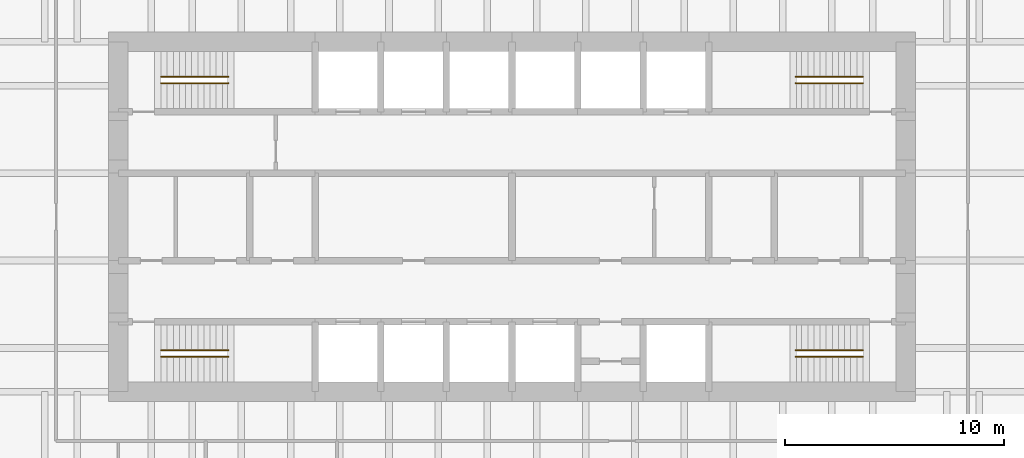
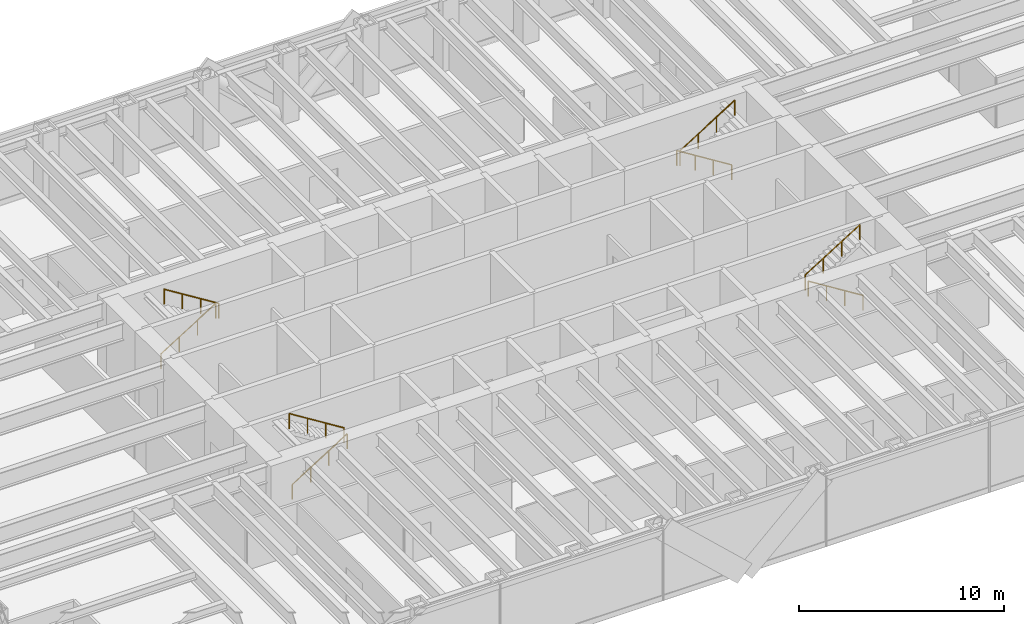
# One storey, part 15 of 15: 8 railings.
"""IFC4 building model written with IfcOpenShell, lengths in metres."""

from ifc_helpers import new_model, si_unit, direction, frame, origin, origin_2d, place, context, subcontext, project, spatial, circle, extrude, material, type_object, element, save


model = new_model("IFC4")

# Units and contexts
model_context = context("Model", 3, precision=1e-05, world=origin(), true_north=direction((0.0, 1.0)))
body_context = subcontext(model_context, "Body", "Model", "MODEL_VIEW")
ifc_project = project(units=[si_unit("LENGTHUNIT", "METRE"), si_unit("AREAUNIT", "SQUARE_METRE"), si_unit("VOLUMEUNIT", "CUBIC_METRE"), si_unit("PLANEANGLEUNIT", "RADIAN"), si_unit("MASSUNIT", "GRAM", prefix="KILO")], contexts=[model_context])

# Site, building, storey
site_placement = place(None, origin())
site = spatial("IfcSite", under=ifc_project, at=site_placement, CompositionType="ELEMENT")
building_placement = place(site_placement, origin())
building = spatial("IfcBuilding", under=site, at=building_placement, Name="Rheinbord Bourse Tower", CompositionType="ELEMENT")
storey_placement = place(building_placement, frame((0.0, 0.0, 125.699951171875)))
storey = spatial("IfcBuildingStorey", under=building, at=storey_placement, Name="L27", CompositionType="ELEMENT", Elevation=125.699951171875)

# Railings
ifc_material = material(Name="Steel handrail", Category="steel")
railing_type = type_object("IfcRailingType", Name="HANDRAIL 900", PredefinedType="HANDRAIL", material=ifc_material)
railing_1_placement = place(storey_placement, frame((19.949951171875, 17.60009765625, 0.175048828125)))
element("IfcRailing", 1, at=railing_1_placement, inside=storey, type_object=railing_type, Name="Handrail", PredefinedType="HANDRAIL", context=body_context, shape_type="SweptSolid", body=[
    extrude(circle(Radius=0.02392578125, at=origin_2d()), frame((0.0, 0.0, 0.8759765625), z_axis=(0.847998304005, 0.0, 0.529998940003), x_axis=(0.0, 1.0, 0.0)), (0.0, 0.0, 1.0), 3.632080078125),
    extrude(circle(Radius=0.02099609375, at=origin_2d()), origin(), (0.0, 0.0, 1.0), 0.851806640625),
    extrude(circle(Radius=0.02099609375, at=origin_2d()), frame((1.026611328125, 0.0, 0.6416015625)), (0.0, 0.0, 1.0), 0.851806640625),
    extrude(circle(Radius=0.02099609375, at=origin_2d()), frame((2.053466796875, 0.0, 1.283447265625)), (0.0, 0.0, 1.0), 0.851806640625),
    extrude(circle(Radius=0.02099609375, at=origin_2d()), frame((3.080078125, 0.0, 1.925048828125)), (0.0, 0.0, 1.0), 0.851806640625),
])
railing_2_placement = place(storey_placement, frame((23.030029296875, 17.89990234375, 2.275146484375)))
element("IfcRailing", 2, at=railing_2_placement, inside=storey, type_object=railing_type, Name="Handrail", PredefinedType="HANDRAIL", context=body_context, shape_type="SweptSolid", body=[
    extrude(circle(Radius=0.02392578125, at=origin_2d()), frame((0.0, 0.0, 0.8759765625), z_axis=(-0.848028513186, 0.0, 0.529950602248), x_axis=(0.0, -1.0, 0.0)), (0.0, 0.0, 1.0), 3.632080078125),
    extrude(circle(Radius=0.02099609375, at=origin_2d()), origin(), (0.0, 0.0, 1.0), 0.851806640625),
    extrude(circle(Radius=0.02099609375, at=origin_2d()), frame((-1.026611328125, 0.0, 0.6416015625)), (0.0, 0.0, 1.0), 0.851806640625),
    extrude(circle(Radius=0.02099609375, at=origin_2d()), frame((-2.053466796875, 0.0, 1.283203125)), (0.0, 0.0, 1.0), 0.851806640625),
    extrude(circle(Radius=0.02099609375, at=origin_2d()), frame((-3.080078125, 0.0, 1.9248046875)), (0.0, 0.0, 1.0), 0.851806640625),
])
railing_3_placement = place(storey_placement, frame((19.949951171875, 30.39990234375, 0.175048828125)))
element("IfcRailing", 3, at=railing_3_placement, inside=storey, type_object=railing_type, Name="Handrail", PredefinedType="HANDRAIL", context=body_context, shape_type="SweptSolid", body=[
    extrude(circle(Radius=0.02392578125, at=origin_2d()), frame((0.0, 0.0, 0.8759765625), z_axis=(0.847998304005, 0.0, 0.529998940003), x_axis=(0.0, 1.0, 0.0)), (0.0, 0.0, 1.0), 3.632080078125),
    extrude(circle(Radius=0.02099609375, at=origin_2d()), origin(), (0.0, 0.0, 1.0), 0.851806640625),
    extrude(circle(Radius=0.02099609375, at=origin_2d()), frame((1.026611328125, 0.0, 0.6416015625)), (0.0, 0.0, 1.0), 0.851806640625),
    extrude(circle(Radius=0.02099609375, at=origin_2d()), frame((2.053466796875, 0.0, 1.283447265625)), (0.0, 0.0, 1.0), 0.851806640625),
    extrude(circle(Radius=0.02099609375, at=origin_2d()), frame((3.080078125, 0.0, 1.925048828125)), (0.0, 0.0, 1.0), 0.851806640625),
])
railing_4_placement = place(storey_placement, frame((23.030029296875, 30.10009765625, 2.275146484375)))
element("IfcRailing", 4, at=railing_4_placement, inside=storey, type_object=railing_type, Name="Handrail", PredefinedType="HANDRAIL", context=body_context, shape_type="SweptSolid", body=[
    extrude(circle(Radius=0.02392578125, at=origin_2d()), frame((0.0, 0.0, 0.8759765625), z_axis=(-0.848028513186, 0.0, 0.529950602248), x_axis=(0.0, -1.0, 0.0)), (0.0, 0.0, 1.0), 3.632080078125),
    extrude(circle(Radius=0.02099609375, at=origin_2d()), origin(), (0.0, 0.0, 1.0), 0.851806640625),
    extrude(circle(Radius=0.02099609375, at=origin_2d()), frame((-1.026611328125, 0.0, 0.6416015625)), (0.0, 0.0, 1.0), 0.851806640625),
    extrude(circle(Radius=0.02099609375, at=origin_2d()), frame((-2.053466796875, 0.0, 1.283203125)), (0.0, 0.0, 1.0), 0.851806640625),
    extrude(circle(Radius=0.02099609375, at=origin_2d()), frame((-3.080078125, 0.0, 1.9248046875)), (0.0, 0.0, 1.0), 0.851806640625),
])
railing_5_placement = place(storey_placement, frame((52.050048828125, 17.60009765625, 0.175048828125)))
element("IfcRailing", 5, at=railing_5_placement, inside=storey, type_object=railing_type, Name="Handrail", PredefinedType="HANDRAIL", context=body_context, shape_type="SweptSolid", body=[
    extrude(circle(Radius=0.02392578125, at=origin_2d()), frame((0.0, 0.0, 0.8759765625), z_axis=(-0.847998304005, 0.0, 0.529998940003), x_axis=(0.0, -1.0, 0.0)), (0.0, 0.0, 1.0), 3.632080078125),
    extrude(circle(Radius=0.02099609375, at=origin_2d()), origin(), (0.0, 0.0, 1.0), 0.851806640625),
    extrude(circle(Radius=0.02099609375, at=origin_2d()), frame((-1.026611328125, 0.0, 0.6416015625)), (0.0, 0.0, 1.0), 0.851806640625),
    extrude(circle(Radius=0.02099609375, at=origin_2d()), frame((-2.053466796875, 0.0, 1.283447265625)), (0.0, 0.0, 1.0), 0.851806640625),
    extrude(circle(Radius=0.02099609375, at=origin_2d()), frame((-3.080078125, 0.0, 1.925048828125)), (0.0, 0.0, 1.0), 0.851806640625),
])
railing_6_placement = place(storey_placement, frame((48.969970703125, 17.89990234375, 2.275146484375)))
element("IfcRailing", 6, at=railing_6_placement, inside=storey, type_object=railing_type, Name="Handrail", PredefinedType="HANDRAIL", context=body_context, shape_type="SweptSolid", body=[
    extrude(circle(Radius=0.02392578125, at=origin_2d()), frame((0.0, 0.0, 0.8759765625), z_axis=(0.848028513186, 0.0, 0.529950602248), x_axis=(0.0, 1.0, 0.0)), (0.0, 0.0, 1.0), 3.632080078125),
    extrude(circle(Radius=0.02099609375, at=origin_2d()), origin(), (0.0, 0.0, 1.0), 0.851806640625),
    extrude(circle(Radius=0.02099609375, at=origin_2d()), frame((1.026611328125, 0.0, 0.6416015625)), (0.0, 0.0, 1.0), 0.851806640625),
    extrude(circle(Radius=0.02099609375, at=origin_2d()), frame((2.053466796875, 0.0, 1.283203125)), (0.0, 0.0, 1.0), 0.851806640625),
    extrude(circle(Radius=0.02099609375, at=origin_2d()), frame((3.080078125, 0.0, 1.9248046875)), (0.0, 0.0, 1.0), 0.851806640625),
])
railing_7_placement = place(storey_placement, frame((52.050048828125, 30.39990234375, 0.175048828125)))
element("IfcRailing", 7, at=railing_7_placement, inside=storey, type_object=railing_type, Name="Handrail", PredefinedType="HANDRAIL", context=body_context, shape_type="SweptSolid", body=[
    extrude(circle(Radius=0.02392578125, at=origin_2d()), frame((0.0, 0.0, 0.8759765625), z_axis=(-0.847998304005, 0.0, 0.529998940003), x_axis=(0.0, -1.0, 0.0)), (0.0, 0.0, 1.0), 3.632080078125),
    extrude(circle(Radius=0.02099609375, at=origin_2d()), origin(), (0.0, 0.0, 1.0), 0.851806640625),
    extrude(circle(Radius=0.02099609375, at=origin_2d()), frame((-1.026611328125, 0.0, 0.6416015625)), (0.0, 0.0, 1.0), 0.851806640625),
    extrude(circle(Radius=0.02099609375, at=origin_2d()), frame((-2.053466796875, 0.0, 1.283447265625)), (0.0, 0.0, 1.0), 0.851806640625),
    extrude(circle(Radius=0.02099609375, at=origin_2d()), frame((-3.080078125, 0.0, 1.925048828125)), (0.0, 0.0, 1.0), 0.851806640625),
])
railing_8_placement = place(storey_placement, frame((48.969970703125, 30.10009765625, 2.275146484375)))
element("IfcRailing", 8, at=railing_8_placement, inside=storey, type_object=railing_type, Name="Handrail", PredefinedType="HANDRAIL", context=body_context, shape_type="SweptSolid", body=[
    extrude(circle(Radius=0.02392578125, at=origin_2d()), frame((0.0, 0.0, 0.8759765625), z_axis=(0.848028513186, 0.0, 0.529950602248), x_axis=(0.0, 1.0, 0.0)), (0.0, 0.0, 1.0), 3.632080078125),
    extrude(circle(Radius=0.02099609375, at=origin_2d()), origin(), (0.0, 0.0, 1.0), 0.851806640625),
    extrude(circle(Radius=0.02099609375, at=origin_2d()), frame((1.026611328125, 0.0, 0.6416015625)), (0.0, 0.0, 1.0), 0.851806640625),
    extrude(circle(Radius=0.02099609375, at=origin_2d()), frame((2.053466796875, 0.0, 1.283203125)), (0.0, 0.0, 1.0), 0.851806640625),
    extrude(circle(Radius=0.02099609375, at=origin_2d()), frame((3.080078125, 0.0, 1.9248046875)), (0.0, 0.0, 1.0), 0.851806640625),
])

save(model, "model.ifc")
